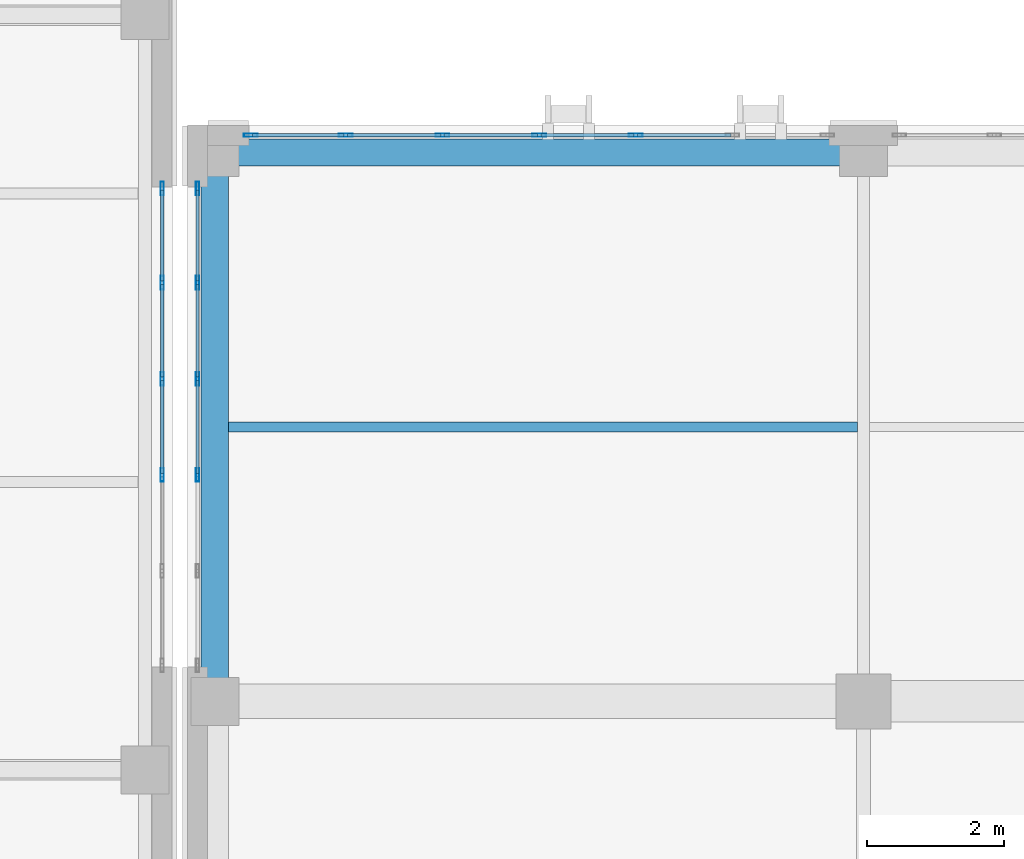
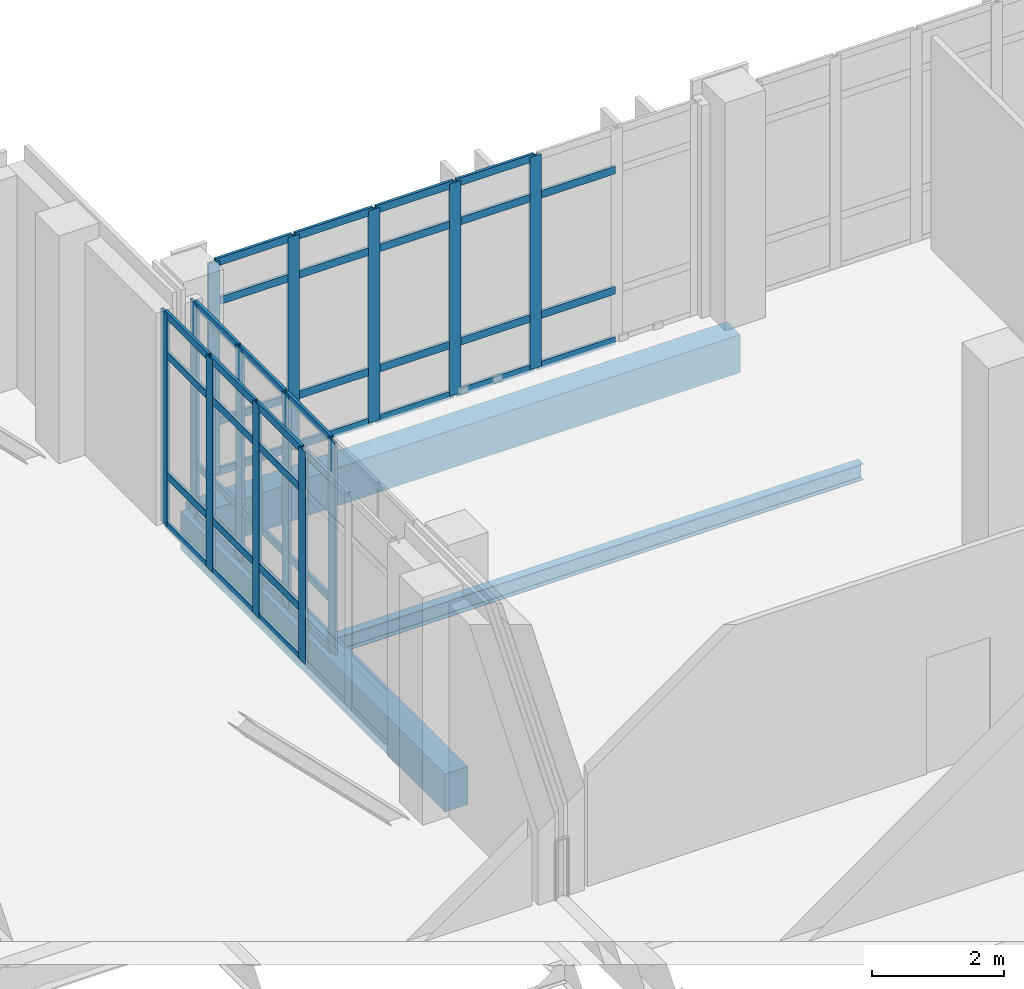
# One storey, part 15 of 165: 56 members, 3 beams, 3 elements without a shape of their own.
"""IFC4 building model written with IfcOpenShell, lengths in metres."""

from ifc_helpers import new_model, si_unit, direction, frame, origin, origin_2d, place, context, subcontext, project, spatial, rectangle, hollow_rectangle, i_section, extrude, material, layer, layer_set, material_profile, profile_set, type_object, element, aggregate, save


model = new_model("IFC4")

# Units and contexts
model_context = context("Model", 3, precision=1e-05, world=origin(), true_north=direction((0.0, 1.0)))
body_context = subcontext(model_context, "Body", "Model", "MODEL_VIEW")
ifc_project = project(units=[si_unit("LENGTHUNIT", "METRE"), si_unit("AREAUNIT", "SQUARE_METRE"), si_unit("VOLUMEUNIT", "CUBIC_METRE"), si_unit("PLANEANGLEUNIT", "RADIAN"), si_unit("MASSUNIT", "GRAM", prefix="KILO")], contexts=[model_context])

# Site, building, storey
site_placement = place(None, origin())
site = spatial("IfcSite", under=ifc_project, at=site_placement, CompositionType="ELEMENT")
building_placement = place(site_placement, origin())
building = spatial("IfcBuilding", under=site, at=building_placement, Name="Qalavern Law Courts", CompositionType="ELEMENT")
storey_placement = place(building_placement, frame((0.0, 0.0, 14.39990234375)))
storey = spatial("IfcBuildingStorey", under=building, at=storey_placement, Name="L03", CompositionType="ELEMENT", Elevation=14.39990234375)

# Curtain wall, members
ifc_material_1 = material(Name="Anodised aluminium and insulated glazing", Category="aluminium")
ifc_layer_1 = layer(ifc_material_1, 0.199951171875)
ifc_layer_set_1 = layer_set([ifc_layer_1], Name="Anodised aluminium and insulated glazing")
curtain_wall_type_1 = type_object("IfcCurtainWallType", Name="ENV-CW-FOYER", PredefinedType="USERDEFINED", material=ifc_layer_set_1)
curtain_wall_1_placement = place(storey_placement, origin())
curtain_wall_1 = element("IfcCurtainWall", 1, at=curtain_wall_1_placement, inside=storey, type_object=curtain_wall_type_1, Name="V1 unitised curtain wall L03 east 1", ObjectType="UNITISED CURTAIN WALL", PredefinedType="USERDEFINED")
ifc_material_2 = material(Name="Anodised aluminium", Category="aluminium")
ifc_material_profile_1 = material_profile(ifc_material_2, hollow_rectangle(XDim=0.048095703125, YDim=0.199951171875, WallThickness=0.00439453125, at=origin_2d()), Name="ALU MULLION 48x200")
ifc_profile_set_1 = profile_set([ifc_material_profile_1], Name="Anodised aluminium")
member_type_1 = type_object("IfcMemberType", Name="ENV-CWM-48x200", PredefinedType="MULLION", material=ifc_profile_set_1)
member_1_placement = place(storey_placement, frame((33.8525390625, 25.300048828125, 0.0), z_axis=(0.0, 0.0, 1.0), x_axis=(-1.0, 0.0, 0.0)))
member_1 = element("IfcMember", 2, at=member_1_placement, type_object=member_type_1, Name="CW-01 mullion 3", PredefinedType="MULLION", context=body_context, shape_type="SweptSolid", body=[
    extrude(hollow_rectangle(XDim=0.048095703125, YDim=0.199951171875, WallThickness=0.00439453125, at=origin_2d()), origin(), (0.0, 0.0, 1.0), 3.920166015625),
])
member_2_placement = place(storey_placement, frame((33.8525390625, 26.699951171875, 0.0), z_axis=(0.0, 0.0, 1.0), x_axis=(-1.0, 0.0, 0.0)))
member_2 = element("IfcMember", 3, at=member_2_placement, type_object=member_type_1, Name="CW-01 mullion 4", PredefinedType="MULLION", context=body_context, shape_type="SweptSolid", body=[
    extrude(hollow_rectangle(XDim=0.048095703125, YDim=0.199951171875, WallThickness=0.00439453125, at=origin_2d()), origin(), (0.0, 0.0, 1.0), 3.920166015625),
])
member_3_placement = place(storey_placement, frame((33.8525390625, 28.10009765625, 0.0), z_axis=(0.0, 0.0, 1.0), x_axis=(-1.0, 0.0, 0.0)))
member_3 = element("IfcMember", 4, at=member_3_placement, type_object=member_type_1, Name="CW-01 mullion 5", PredefinedType="MULLION", context=body_context, shape_type="SweptSolid", body=[
    extrude(hollow_rectangle(XDim=0.048095703125, YDim=0.199951171875, WallThickness=0.00439453125, at=origin_2d()), origin(), (0.0, 0.0, 1.0), 3.920166015625),
])
member_4_placement = place(storey_placement, frame((33.8525390625, 29.47607421875, 0.0), z_axis=(0.0, 0.0, 1.0), x_axis=(-1.0, 0.0, 0.0)))
member_4 = element("IfcMember", 5, at=member_4_placement, type_object=member_type_1, Name="CW-01 mullion 6", PredefinedType="MULLION", context=body_context, shape_type="SweptSolid", body=[
    extrude(hollow_rectangle(XDim=0.048095703125, YDim=0.199951171875, WallThickness=0.00439453125, at=origin_2d()), origin(), (0.0, 0.0, 1.0), 3.920166015625),
])

ifc_layer_2 = layer(ifc_material_1, 0.18505859375)
ifc_layer_set_2 = layer_set([ifc_layer_2], Name="Anodised aluminium and insulated glazing")
curtain_wall_type_2 = type_object("IfcCurtainWallType", Name="ENV-CW-HALL", PredefinedType="USERDEFINED", material=ifc_layer_set_2)
curtain_wall_2_placement = place(storey_placement, origin())
curtain_wall_2 = element("IfcCurtainWall", 6, at=curtain_wall_2_placement, inside=storey, type_object=curtain_wall_type_2, Name="V2 unitised curtain wall L03 north 6", ObjectType="UNITISED CURTAIN WALL", PredefinedType="USERDEFINED")
member_5_placement = place(storey_placement, frame((40.756103515625, 30.25244140625, 0.0), z_axis=(0.0, 0.0, 1.0), x_axis=(0.0, -1.0, 0.0)))
member_5 = element("IfcMember", 7, at=member_5_placement, type_object=member_type_1, Name="CW-02 mullion 3", PredefinedType="MULLION", context=body_context, shape_type="SweptSolid", body=[
    extrude(hollow_rectangle(XDim=0.048095703125, YDim=0.199951171875, WallThickness=0.00439453125, at=origin_2d()), origin(), (0.0, 0.0, 1.0), 3.920166015625),
])
member_6_placement = place(storey_placement, frame((39.34716796875, 30.25244140625, 0.0), z_axis=(0.0, 0.0, 1.0), x_axis=(0.0, -1.0, 0.0)))
member_6 = element("IfcMember", 8, at=member_6_placement, type_object=member_type_1, Name="CW-02 mullion 4", PredefinedType="MULLION", context=body_context, shape_type="SweptSolid", body=[
    extrude(hollow_rectangle(XDim=0.048095703125, YDim=0.199951171875, WallThickness=0.00439453125, at=origin_2d()), origin(), (0.0, 0.0, 1.0), 3.920166015625),
])
member_7_placement = place(storey_placement, frame((37.93798828125, 30.25244140625, 0.0), z_axis=(0.0, 0.0, 1.0), x_axis=(0.0, -1.0, 0.0)))
member_7 = element("IfcMember", 9, at=member_7_placement, type_object=member_type_1, Name="CW-02 mullion 5", PredefinedType="MULLION", context=body_context, shape_type="SweptSolid", body=[
    extrude(hollow_rectangle(XDim=0.048095703125, YDim=0.199951171875, WallThickness=0.00439453125, at=origin_2d()), origin(), (0.0, 0.0, 1.0), 3.920166015625),
])
member_8_placement = place(storey_placement, frame((36.529052734375, 30.25244140625, 0.0), z_axis=(0.0, 0.0, 1.0), x_axis=(0.0, -1.0, 0.0)))
member_8 = element("IfcMember", 10, at=member_8_placement, type_object=member_type_1, Name="CW-02 mullion 6", PredefinedType="MULLION", context=body_context, shape_type="SweptSolid", body=[
    extrude(hollow_rectangle(XDim=0.048095703125, YDim=0.199951171875, WallThickness=0.00439453125, at=origin_2d()), origin(), (0.0, 0.0, 1.0), 3.920166015625),
])
member_9_placement = place(storey_placement, frame((35.14404296875, 30.25244140625, 0.0), z_axis=(0.0, 0.0, 1.0), x_axis=(0.0, -1.0, 0.0)))
member_9 = element("IfcMember", 11, at=member_9_placement, type_object=member_type_1, Name="CW-02 mullion 7", PredefinedType="MULLION", context=body_context, shape_type="SweptSolid", body=[
    extrude(hollow_rectangle(XDim=0.048095703125, YDim=0.199951171875, WallThickness=0.00439453125, at=origin_2d()), origin(), (0.0, 0.0, 1.0), 3.920166015625),
])

curtain_wall_3_placement = place(storey_placement, origin())
curtain_wall_3 = element("IfcCurtainWall", 12, at=curtain_wall_3_placement, inside=storey, type_object=curtain_wall_type_2, Name="V2 unitised curtain wall L03 west 1", ObjectType="UNITISED CURTAIN WALL", PredefinedType="USERDEFINED")
member_10_placement = place(storey_placement, frame((34.367431640625, 29.47607421875, 0.0), z_axis=(0.0, 0.0, 1.0), x_axis=(1.0, 0.0, 0.0)))
member_10 = element("IfcMember", 13, at=member_10_placement, type_object=member_type_1, Name="CW-02 mullion 1", PredefinedType="MULLION", context=body_context, shape_type="SweptSolid", body=[
    extrude(hollow_rectangle(XDim=0.048095703125, YDim=0.199951171875, WallThickness=0.00439453125, at=origin_2d()), origin(), (0.0, 0.0, 1.0), 3.920166015625),
])
member_11_placement = place(storey_placement, frame((34.367431640625, 28.10009765625, 0.0), z_axis=(0.0, 0.0, 1.0), x_axis=(1.0, 0.0, 0.0)))
member_11 = element("IfcMember", 14, at=member_11_placement, type_object=member_type_1, Name="CW-02 mullion 2", PredefinedType="MULLION", context=body_context, shape_type="SweptSolid", body=[
    extrude(hollow_rectangle(XDim=0.048095703125, YDim=0.199951171875, WallThickness=0.00439453125, at=origin_2d()), origin(), (0.0, 0.0, 1.0), 3.920166015625),
])
member_12_placement = place(storey_placement, frame((34.367431640625, 26.699951171875, 0.0), z_axis=(0.0, 0.0, 1.0), x_axis=(1.0, 0.0, 0.0)))
member_12 = element("IfcMember", 15, at=member_12_placement, type_object=member_type_1, Name="CW-02 mullion 3", PredefinedType="MULLION", context=body_context, shape_type="SweptSolid", body=[
    extrude(hollow_rectangle(XDim=0.048095703125, YDim=0.199951171875, WallThickness=0.00439453125, at=origin_2d()), origin(), (0.0, 0.0, 1.0), 3.920166015625),
])
member_13_placement = place(storey_placement, frame((34.367431640625, 25.300048828125, 0.0), z_axis=(0.0, 0.0, 1.0), x_axis=(1.0, 0.0, 0.0)))
member_13 = element("IfcMember", 16, at=member_13_placement, type_object=member_type_1, Name="CW-02 mullion 4", PredefinedType="MULLION", context=body_context, shape_type="SweptSolid", body=[
    extrude(hollow_rectangle(XDim=0.048095703125, YDim=0.199951171875, WallThickness=0.00439453125, at=origin_2d()), origin(), (0.0, 0.0, 1.0), 3.920166015625),
])

# Member
ifc_material_profile_2 = material_profile(ifc_material_2, hollow_rectangle(XDim=0.048095703125, YDim=0.139892578125, WallThickness=0.00390625, at=origin_2d()), Name="ALU TRANSOM 48x140")
ifc_profile_set_2 = profile_set([ifc_material_profile_2], Name="Anodised aluminium")
member_type_2 = type_object("IfcMemberType", Name="ENV-CWT-48x140", PredefinedType="USERDEFINED", material=ifc_profile_set_2)
member_14_placement = place(storey_placement, frame((33.8525390625, 25.323974609375, 0.024169921875), z_axis=(0.0, 1.0, 0.0), x_axis=(-1.0, 0.0, 0.0)))
member_14 = element("IfcMember", 17, at=member_14_placement, type_object=member_type_2, Name="CW-01 transom 3.1", ObjectType="TRANSOM", PredefinedType="USERDEFINED", context=body_context, shape_type="SweptSolid", body=[
    extrude(hollow_rectangle(XDim=0.048095703125, YDim=0.139892578125, WallThickness=0.00390625, at=origin_2d()), origin(), (0.0, 0.0, 1.0), 1.35205078125),
])

member_15_placement = place(storey_placement, frame((33.8525390625, 25.323974609375, 0.9501953125), z_axis=(0.0, 1.0, 0.0), x_axis=(-1.0, 0.0, 0.0)))
member_15 = element("IfcMember", 18, at=member_15_placement, type_object=member_type_2, Name="CW-01 transom 3.2", ObjectType="TRANSOM", PredefinedType="USERDEFINED", context=body_context, shape_type="SweptSolid", body=[
    extrude(hollow_rectangle(XDim=0.048095703125, YDim=0.139892578125, WallThickness=0.00390625, at=origin_2d()), origin(), (0.0, 0.0, 1.0), 1.35205078125),
])

member_16_placement = place(storey_placement, frame((33.8525390625, 25.323974609375, 3.170166015625), z_axis=(0.0, 1.0, 0.0), x_axis=(-1.0, 0.0, 0.0)))
member_16 = element("IfcMember", 19, at=member_16_placement, type_object=member_type_2, Name="CW-01 transom 3.3", ObjectType="TRANSOM", PredefinedType="USERDEFINED", context=body_context, shape_type="SweptSolid", body=[
    extrude(hollow_rectangle(XDim=0.048095703125, YDim=0.139892578125, WallThickness=0.00390625, at=origin_2d()), origin(), (0.0, 0.0, 1.0), 1.35205078125),
])

member_17_placement = place(storey_placement, frame((33.8525390625, 25.323974609375, 3.89599609375), z_axis=(0.0, 1.0, 0.0), x_axis=(-1.0, 0.0, 0.0)))
member_17 = element("IfcMember", 20, at=member_17_placement, type_object=member_type_2, Name="CW-01 transom 3.4", ObjectType="TRANSOM", PredefinedType="USERDEFINED", context=body_context, shape_type="SweptSolid", body=[
    extrude(hollow_rectangle(XDim=0.048095703125, YDim=0.139892578125, WallThickness=0.00390625, at=origin_2d()), origin(), (0.0, 0.0, 1.0), 1.35205078125),
])

member_18_placement = place(storey_placement, frame((33.8525390625, 26.72412109375, 0.024169921875), z_axis=(0.0, 1.0, 0.0), x_axis=(-1.0, 0.0, 0.0)))
member_18 = element("IfcMember", 21, at=member_18_placement, type_object=member_type_2, Name="CW-01 transom 4.1", ObjectType="TRANSOM", PredefinedType="USERDEFINED", context=body_context, shape_type="SweptSolid", body=[
    extrude(hollow_rectangle(XDim=0.048095703125, YDim=0.139892578125, WallThickness=0.00390625, at=origin_2d()), origin(), (0.0, 0.0, 1.0), 1.351806640625),
])

member_19_placement = place(storey_placement, frame((33.8525390625, 26.72412109375, 0.9501953125), z_axis=(0.0, 1.0, 0.0), x_axis=(-1.0, 0.0, 0.0)))
member_19 = element("IfcMember", 22, at=member_19_placement, type_object=member_type_2, Name="CW-01 transom 4.2", ObjectType="TRANSOM", PredefinedType="USERDEFINED", context=body_context, shape_type="SweptSolid", body=[
    extrude(hollow_rectangle(XDim=0.048095703125, YDim=0.139892578125, WallThickness=0.00390625, at=origin_2d()), origin(), (0.0, 0.0, 1.0), 1.351806640625),
])

member_20_placement = place(storey_placement, frame((33.8525390625, 26.72412109375, 3.170166015625), z_axis=(0.0, 1.0, 0.0), x_axis=(-1.0, 0.0, 0.0)))
member_20 = element("IfcMember", 23, at=member_20_placement, type_object=member_type_2, Name="CW-01 transom 4.3", ObjectType="TRANSOM", PredefinedType="USERDEFINED", context=body_context, shape_type="SweptSolid", body=[
    extrude(hollow_rectangle(XDim=0.048095703125, YDim=0.139892578125, WallThickness=0.00390625, at=origin_2d()), origin(), (0.0, 0.0, 1.0), 1.351806640625),
])

member_21_placement = place(storey_placement, frame((33.8525390625, 26.72412109375, 3.89599609375), z_axis=(0.0, 1.0, 0.0), x_axis=(-1.0, 0.0, 0.0)))
member_21 = element("IfcMember", 24, at=member_21_placement, type_object=member_type_2, Name="CW-01 transom 4.4", ObjectType="TRANSOM", PredefinedType="USERDEFINED", context=body_context, shape_type="SweptSolid", body=[
    extrude(hollow_rectangle(XDim=0.048095703125, YDim=0.139892578125, WallThickness=0.00390625, at=origin_2d()), origin(), (0.0, 0.0, 1.0), 1.351806640625),
])

member_22_placement = place(storey_placement, frame((33.8525390625, 28.1240234375, 0.024169921875), z_axis=(0.0, 1.0, 0.0), x_axis=(-1.0, 0.0, 0.0)))
member_22 = element("IfcMember", 25, at=member_22_placement, type_object=member_type_2, Name="CW-01 transom 5.1", ObjectType="TRANSOM", PredefinedType="USERDEFINED", context=body_context, shape_type="SweptSolid", body=[
    extrude(hollow_rectangle(XDim=0.048095703125, YDim=0.139892578125, WallThickness=0.00390625, at=origin_2d()), origin(), (0.0, 0.0, 1.0), 1.327880859375),
])

member_23_placement = place(storey_placement, frame((33.8525390625, 28.1240234375, 0.9501953125), z_axis=(0.0, 1.0, 0.0), x_axis=(-1.0, 0.0, 0.0)))
member_23 = element("IfcMember", 26, at=member_23_placement, type_object=member_type_2, Name="CW-01 transom 5.2", ObjectType="TRANSOM", PredefinedType="USERDEFINED", context=body_context, shape_type="SweptSolid", body=[
    extrude(hollow_rectangle(XDim=0.048095703125, YDim=0.139892578125, WallThickness=0.00390625, at=origin_2d()), origin(), (0.0, 0.0, 1.0), 1.327880859375),
])

member_24_placement = place(storey_placement, frame((33.8525390625, 28.1240234375, 3.170166015625), z_axis=(0.0, 1.0, 0.0), x_axis=(-1.0, 0.0, 0.0)))
member_24 = element("IfcMember", 27, at=member_24_placement, type_object=member_type_2, Name="CW-01 transom 5.3", ObjectType="TRANSOM", PredefinedType="USERDEFINED", context=body_context, shape_type="SweptSolid", body=[
    extrude(hollow_rectangle(XDim=0.048095703125, YDim=0.139892578125, WallThickness=0.00390625, at=origin_2d()), origin(), (0.0, 0.0, 1.0), 1.327880859375),
])

member_25_placement = place(storey_placement, frame((33.8525390625, 28.1240234375, 3.89599609375), z_axis=(0.0, 1.0, 0.0), x_axis=(-1.0, 0.0, 0.0)))
member_25 = element("IfcMember", 28, at=member_25_placement, type_object=member_type_2, Name="CW-01 transom 5.4", ObjectType="TRANSOM", PredefinedType="USERDEFINED", context=body_context, shape_type="SweptSolid", body=[
    extrude(hollow_rectangle(XDim=0.048095703125, YDim=0.139892578125, WallThickness=0.00390625, at=origin_2d()), origin(), (0.0, 0.0, 1.0), 1.327880859375),
])

aggregate(curtain_wall_1, [member_1, member_2, member_3, member_4, member_14, member_15, member_16, member_17, member_18, member_19, member_20, member_21, member_22, member_23, member_24, member_25])

member_26_placement = place(storey_placement, frame((42.141357421875, 30.25244140625, 0.024169921875), z_axis=(-1.0, 0.0, 0.0), x_axis=(0.0, -1.0, 0.0)))
member_26 = element("IfcMember", 29, at=member_26_placement, type_object=member_type_2, Name="CW-02 transom 2.1", ObjectType="TRANSOM", PredefinedType="USERDEFINED", context=body_context, shape_type="SweptSolid", body=[
    extrude(hollow_rectangle(XDim=0.048095703125, YDim=0.139892578125, WallThickness=0.00390625, at=origin_2d()), origin(), (0.0, 0.0, 1.0), 1.361083984375),
])

member_27_placement = place(storey_placement, frame((42.141357421875, 30.25244140625, 0.9501953125), z_axis=(-1.0, 0.0, 0.0), x_axis=(0.0, -1.0, 0.0)))
member_27 = element("IfcMember", 30, at=member_27_placement, type_object=member_type_2, Name="CW-02 transom 2.2", ObjectType="TRANSOM", PredefinedType="USERDEFINED", context=body_context, shape_type="SweptSolid", body=[
    extrude(hollow_rectangle(XDim=0.048095703125, YDim=0.139892578125, WallThickness=0.00390625, at=origin_2d()), origin(), (0.0, 0.0, 1.0), 1.361083984375),
])

member_28_placement = place(storey_placement, frame((42.141357421875, 30.25244140625, 3.170166015625), z_axis=(-1.0, 0.0, 0.0), x_axis=(0.0, -1.0, 0.0)))
member_28 = element("IfcMember", 31, at=member_28_placement, type_object=member_type_2, Name="CW-02 transom 2.3", ObjectType="TRANSOM", PredefinedType="USERDEFINED", context=body_context, shape_type="SweptSolid", body=[
    extrude(hollow_rectangle(XDim=0.048095703125, YDim=0.139892578125, WallThickness=0.00390625, at=origin_2d()), origin(), (0.0, 0.0, 1.0), 1.361083984375),
])

member_29_placement = place(storey_placement, frame((40.732177734375, 30.25244140625, 0.024169921875), z_axis=(-1.0, 0.0, 0.0), x_axis=(0.0, -1.0, 0.0)))
member_29 = element("IfcMember", 32, at=member_29_placement, type_object=member_type_2, Name="CW-02 transom 3.1", ObjectType="TRANSOM", PredefinedType="USERDEFINED", context=body_context, shape_type="SweptSolid", body=[
    extrude(hollow_rectangle(XDim=0.048095703125, YDim=0.139892578125, WallThickness=0.00390625, at=origin_2d()), origin(), (0.0, 0.0, 1.0), 1.361083984375),
])

member_30_placement = place(storey_placement, frame((40.732177734375, 30.25244140625, 0.9501953125), z_axis=(-1.0, 0.0, 0.0), x_axis=(0.0, -1.0, 0.0)))
member_30 = element("IfcMember", 33, at=member_30_placement, type_object=member_type_2, Name="CW-02 transom 3.2", ObjectType="TRANSOM", PredefinedType="USERDEFINED", context=body_context, shape_type="SweptSolid", body=[
    extrude(hollow_rectangle(XDim=0.048095703125, YDim=0.139892578125, WallThickness=0.00390625, at=origin_2d()), origin(), (0.0, 0.0, 1.0), 1.361083984375),
])

member_31_placement = place(storey_placement, frame((40.732177734375, 30.25244140625, 3.170166015625), z_axis=(-1.0, 0.0, 0.0), x_axis=(0.0, -1.0, 0.0)))
member_31 = element("IfcMember", 34, at=member_31_placement, type_object=member_type_2, Name="CW-02 transom 3.3", ObjectType="TRANSOM", PredefinedType="USERDEFINED", context=body_context, shape_type="SweptSolid", body=[
    extrude(hollow_rectangle(XDim=0.048095703125, YDim=0.139892578125, WallThickness=0.00390625, at=origin_2d()), origin(), (0.0, 0.0, 1.0), 1.361083984375),
])

member_32_placement = place(storey_placement, frame((40.732177734375, 30.25244140625, 3.89599609375), z_axis=(-1.0, 0.0, 0.0), x_axis=(0.0, -1.0, 0.0)))
member_32 = element("IfcMember", 35, at=member_32_placement, type_object=member_type_2, Name="CW-02 transom 3.4", ObjectType="TRANSOM", PredefinedType="USERDEFINED", context=body_context, shape_type="SweptSolid", body=[
    extrude(hollow_rectangle(XDim=0.048095703125, YDim=0.139892578125, WallThickness=0.00390625, at=origin_2d()), origin(), (0.0, 0.0, 1.0), 1.361083984375),
])

member_33_placement = place(storey_placement, frame((39.3232421875, 30.25244140625, 0.024169921875), z_axis=(-1.0, 0.0, 0.0), x_axis=(0.0, -1.0, 0.0)))
member_33 = element("IfcMember", 36, at=member_33_placement, type_object=member_type_2, Name="CW-02 transom 4.1", ObjectType="TRANSOM", PredefinedType="USERDEFINED", context=body_context, shape_type="SweptSolid", body=[
    extrude(hollow_rectangle(XDim=0.048095703125, YDim=0.139892578125, WallThickness=0.00390625, at=origin_2d()), origin(), (0.0, 0.0, 1.0), 1.361083984375),
])

member_34_placement = place(storey_placement, frame((39.3232421875, 30.25244140625, 0.9501953125), z_axis=(-1.0, 0.0, 0.0), x_axis=(0.0, -1.0, 0.0)))
member_34 = element("IfcMember", 37, at=member_34_placement, type_object=member_type_2, Name="CW-02 transom 4.2", ObjectType="TRANSOM", PredefinedType="USERDEFINED", context=body_context, shape_type="SweptSolid", body=[
    extrude(hollow_rectangle(XDim=0.048095703125, YDim=0.139892578125, WallThickness=0.00390625, at=origin_2d()), origin(), (0.0, 0.0, 1.0), 1.361083984375),
])

member_35_placement = place(storey_placement, frame((39.3232421875, 30.25244140625, 3.170166015625), z_axis=(-1.0, 0.0, 0.0), x_axis=(0.0, -1.0, 0.0)))
member_35 = element("IfcMember", 38, at=member_35_placement, type_object=member_type_2, Name="CW-02 transom 4.3", ObjectType="TRANSOM", PredefinedType="USERDEFINED", context=body_context, shape_type="SweptSolid", body=[
    extrude(hollow_rectangle(XDim=0.048095703125, YDim=0.139892578125, WallThickness=0.00390625, at=origin_2d()), origin(), (0.0, 0.0, 1.0), 1.361083984375),
])

member_36_placement = place(storey_placement, frame((39.3232421875, 30.25244140625, 3.89599609375), z_axis=(-1.0, 0.0, 0.0), x_axis=(0.0, -1.0, 0.0)))
member_36 = element("IfcMember", 39, at=member_36_placement, type_object=member_type_2, Name="CW-02 transom 4.4", ObjectType="TRANSOM", PredefinedType="USERDEFINED", context=body_context, shape_type="SweptSolid", body=[
    extrude(hollow_rectangle(XDim=0.048095703125, YDim=0.139892578125, WallThickness=0.00390625, at=origin_2d()), origin(), (0.0, 0.0, 1.0), 1.361083984375),
])

member_37_placement = place(storey_placement, frame((37.9140625, 30.25244140625, 0.024169921875), z_axis=(-1.0, 0.0, 0.0), x_axis=(0.0, -1.0, 0.0)))
member_37 = element("IfcMember", 40, at=member_37_placement, type_object=member_type_2, Name="CW-02 transom 5.1", ObjectType="TRANSOM", PredefinedType="USERDEFINED", context=body_context, shape_type="SweptSolid", body=[
    extrude(hollow_rectangle(XDim=0.048095703125, YDim=0.139892578125, WallThickness=0.00390625, at=origin_2d()), origin(), (0.0, 0.0, 1.0), 1.361083984375),
])

member_38_placement = place(storey_placement, frame((37.9140625, 30.25244140625, 0.9501953125), z_axis=(-1.0, 0.0, 0.0), x_axis=(0.0, -1.0, 0.0)))
member_38 = element("IfcMember", 41, at=member_38_placement, type_object=member_type_2, Name="CW-02 transom 5.2", ObjectType="TRANSOM", PredefinedType="USERDEFINED", context=body_context, shape_type="SweptSolid", body=[
    extrude(hollow_rectangle(XDim=0.048095703125, YDim=0.139892578125, WallThickness=0.00390625, at=origin_2d()), origin(), (0.0, 0.0, 1.0), 1.361083984375),
])

member_39_placement = place(storey_placement, frame((37.9140625, 30.25244140625, 3.170166015625), z_axis=(-1.0, 0.0, 0.0), x_axis=(0.0, -1.0, 0.0)))
member_39 = element("IfcMember", 42, at=member_39_placement, type_object=member_type_2, Name="CW-02 transom 5.3", ObjectType="TRANSOM", PredefinedType="USERDEFINED", context=body_context, shape_type="SweptSolid", body=[
    extrude(hollow_rectangle(XDim=0.048095703125, YDim=0.139892578125, WallThickness=0.00390625, at=origin_2d()), origin(), (0.0, 0.0, 1.0), 1.361083984375),
])

member_40_placement = place(storey_placement, frame((37.9140625, 30.25244140625, 3.89599609375), z_axis=(-1.0, 0.0, 0.0), x_axis=(0.0, -1.0, 0.0)))
member_40 = element("IfcMember", 43, at=member_40_placement, type_object=member_type_2, Name="CW-02 transom 5.4", ObjectType="TRANSOM", PredefinedType="USERDEFINED", context=body_context, shape_type="SweptSolid", body=[
    extrude(hollow_rectangle(XDim=0.048095703125, YDim=0.139892578125, WallThickness=0.00390625, at=origin_2d()), origin(), (0.0, 0.0, 1.0), 1.361083984375),
])

member_41_placement = place(storey_placement, frame((36.505126953125, 30.25244140625, 0.024169921875), z_axis=(-1.0, 0.0, 0.0), x_axis=(0.0, -1.0, 0.0)))
member_41 = element("IfcMember", 44, at=member_41_placement, type_object=member_type_2, Name="CW-02 transom 6.1", ObjectType="TRANSOM", PredefinedType="USERDEFINED", context=body_context, shape_type="SweptSolid", body=[
    extrude(hollow_rectangle(XDim=0.048095703125, YDim=0.139892578125, WallThickness=0.00390625, at=origin_2d()), origin(), (0.0, 0.0, 1.0), 1.337158203125),
])

member_42_placement = place(storey_placement, frame((36.505126953125, 30.25244140625, 0.9501953125), z_axis=(-1.0, 0.0, 0.0), x_axis=(0.0, -1.0, 0.0)))
member_42 = element("IfcMember", 45, at=member_42_placement, type_object=member_type_2, Name="CW-02 transom 6.2", ObjectType="TRANSOM", PredefinedType="USERDEFINED", context=body_context, shape_type="SweptSolid", body=[
    extrude(hollow_rectangle(XDim=0.048095703125, YDim=0.139892578125, WallThickness=0.00390625, at=origin_2d()), origin(), (0.0, 0.0, 1.0), 1.337158203125),
])

member_43_placement = place(storey_placement, frame((36.505126953125, 30.25244140625, 3.170166015625), z_axis=(-1.0, 0.0, 0.0), x_axis=(0.0, -1.0, 0.0)))
member_43 = element("IfcMember", 46, at=member_43_placement, type_object=member_type_2, Name="CW-02 transom 6.3", ObjectType="TRANSOM", PredefinedType="USERDEFINED", context=body_context, shape_type="SweptSolid", body=[
    extrude(hollow_rectangle(XDim=0.048095703125, YDim=0.139892578125, WallThickness=0.00390625, at=origin_2d()), origin(), (0.0, 0.0, 1.0), 1.337158203125),
])

member_44_placement = place(storey_placement, frame((36.505126953125, 30.25244140625, 3.89599609375), z_axis=(-1.0, 0.0, 0.0), x_axis=(0.0, -1.0, 0.0)))
member_44 = element("IfcMember", 47, at=member_44_placement, type_object=member_type_2, Name="CW-02 transom 6.4", ObjectType="TRANSOM", PredefinedType="USERDEFINED", context=body_context, shape_type="SweptSolid", body=[
    extrude(hollow_rectangle(XDim=0.048095703125, YDim=0.139892578125, WallThickness=0.00390625, at=origin_2d()), origin(), (0.0, 0.0, 1.0), 1.337158203125),
])

aggregate(curtain_wall_2, [member_5, member_6, member_7, member_8, member_9, member_26, member_27, member_28, member_29, member_30, member_31, member_32, member_33, member_34, member_35, member_36, member_37, member_38, member_39, member_40, member_41, member_42, member_43, member_44])

member_45_placement = place(storey_placement, frame((34.367431640625, 29.451904296875, 0.024169921875), z_axis=(0.0, -1.0, 0.0), x_axis=(1.0, 0.0, 0.0)))
member_45 = element("IfcMember", 48, at=member_45_placement, type_object=member_type_2, Name="CW-02 transom 1.1", ObjectType="TRANSOM", PredefinedType="USERDEFINED", context=body_context, shape_type="SweptSolid", body=[
    extrude(hollow_rectangle(XDim=0.048095703125, YDim=0.139892578125, WallThickness=0.00390625, at=origin_2d()), origin(), (0.0, 0.0, 1.0), 1.327880859375),
])

member_46_placement = place(storey_placement, frame((34.367431640625, 29.451904296875, 0.9501953125), z_axis=(0.0, -1.0, 0.0), x_axis=(1.0, 0.0, 0.0)))
member_46 = element("IfcMember", 49, at=member_46_placement, type_object=member_type_2, Name="CW-02 transom 1.2", ObjectType="TRANSOM", PredefinedType="USERDEFINED", context=body_context, shape_type="SweptSolid", body=[
    extrude(hollow_rectangle(XDim=0.048095703125, YDim=0.139892578125, WallThickness=0.00390625, at=origin_2d()), origin(), (0.0, 0.0, 1.0), 1.327880859375),
])

member_47_placement = place(storey_placement, frame((34.367431640625, 29.451904296875, 3.170166015625), z_axis=(0.0, -1.0, 0.0), x_axis=(1.0, 0.0, 0.0)))
member_47 = element("IfcMember", 50, at=member_47_placement, type_object=member_type_2, Name="CW-02 transom 1.3", ObjectType="TRANSOM", PredefinedType="USERDEFINED", context=body_context, shape_type="SweptSolid", body=[
    extrude(hollow_rectangle(XDim=0.048095703125, YDim=0.139892578125, WallThickness=0.00390625, at=origin_2d()), origin(), (0.0, 0.0, 1.0), 1.327880859375),
])

member_48_placement = place(storey_placement, frame((34.367431640625, 29.451904296875, 3.89599609375), z_axis=(0.0, -1.0, 0.0), x_axis=(1.0, 0.0, 0.0)))
member_48 = element("IfcMember", 51, at=member_48_placement, type_object=member_type_2, Name="CW-02 transom 1.4", ObjectType="TRANSOM", PredefinedType="USERDEFINED", context=body_context, shape_type="SweptSolid", body=[
    extrude(hollow_rectangle(XDim=0.048095703125, YDim=0.139892578125, WallThickness=0.00390625, at=origin_2d()), origin(), (0.0, 0.0, 1.0), 1.327880859375),
])

member_49_placement = place(storey_placement, frame((34.367431640625, 28.075927734375, 0.024169921875), z_axis=(0.0, -1.0, 0.0), x_axis=(1.0, 0.0, 0.0)))
member_49 = element("IfcMember", 52, at=member_49_placement, type_object=member_type_2, Name="CW-02 transom 2.1", ObjectType="TRANSOM", PredefinedType="USERDEFINED", context=body_context, shape_type="SweptSolid", body=[
    extrude(hollow_rectangle(XDim=0.048095703125, YDim=0.139892578125, WallThickness=0.00390625, at=origin_2d()), origin(), (0.0, 0.0, 1.0), 1.351806640625),
])

member_50_placement = place(storey_placement, frame((34.367431640625, 28.075927734375, 0.9501953125), z_axis=(0.0, -1.0, 0.0), x_axis=(1.0, 0.0, 0.0)))
member_50 = element("IfcMember", 53, at=member_50_placement, type_object=member_type_2, Name="CW-02 transom 2.2", ObjectType="TRANSOM", PredefinedType="USERDEFINED", context=body_context, shape_type="SweptSolid", body=[
    extrude(hollow_rectangle(XDim=0.048095703125, YDim=0.139892578125, WallThickness=0.00390625, at=origin_2d()), origin(), (0.0, 0.0, 1.0), 1.351806640625),
])

member_51_placement = place(storey_placement, frame((34.367431640625, 28.075927734375, 3.170166015625), z_axis=(0.0, -1.0, 0.0), x_axis=(1.0, 0.0, 0.0)))
member_51 = element("IfcMember", 54, at=member_51_placement, type_object=member_type_2, Name="CW-02 transom 2.3", ObjectType="TRANSOM", PredefinedType="USERDEFINED", context=body_context, shape_type="SweptSolid", body=[
    extrude(hollow_rectangle(XDim=0.048095703125, YDim=0.139892578125, WallThickness=0.00390625, at=origin_2d()), origin(), (0.0, 0.0, 1.0), 1.351806640625),
])

member_52_placement = place(storey_placement, frame((34.367431640625, 28.075927734375, 3.89599609375), z_axis=(0.0, -1.0, 0.0), x_axis=(1.0, 0.0, 0.0)))
member_52 = element("IfcMember", 55, at=member_52_placement, type_object=member_type_2, Name="CW-02 transom 2.4", ObjectType="TRANSOM", PredefinedType="USERDEFINED", context=body_context, shape_type="SweptSolid", body=[
    extrude(hollow_rectangle(XDim=0.048095703125, YDim=0.139892578125, WallThickness=0.00390625, at=origin_2d()), origin(), (0.0, 0.0, 1.0), 1.351806640625),
])

member_53_placement = place(storey_placement, frame((34.367431640625, 26.676025390625, 0.024169921875), z_axis=(0.0, -1.0, 0.0), x_axis=(1.0, 0.0, 0.0)))
member_53 = element("IfcMember", 56, at=member_53_placement, type_object=member_type_2, Name="CW-02 transom 3.1", ObjectType="TRANSOM", PredefinedType="USERDEFINED", context=body_context, shape_type="SweptSolid", body=[
    extrude(hollow_rectangle(XDim=0.048095703125, YDim=0.139892578125, WallThickness=0.00390625, at=origin_2d()), origin(), (0.0, 0.0, 1.0), 1.35205078125),
])

member_54_placement = place(storey_placement, frame((34.367431640625, 26.676025390625, 0.9501953125), z_axis=(0.0, -1.0, 0.0), x_axis=(1.0, 0.0, 0.0)))
member_54 = element("IfcMember", 57, at=member_54_placement, type_object=member_type_2, Name="CW-02 transom 3.2", ObjectType="TRANSOM", PredefinedType="USERDEFINED", context=body_context, shape_type="SweptSolid", body=[
    extrude(hollow_rectangle(XDim=0.048095703125, YDim=0.139892578125, WallThickness=0.00390625, at=origin_2d()), origin(), (0.0, 0.0, 1.0), 1.35205078125),
])

member_55_placement = place(storey_placement, frame((34.367431640625, 26.676025390625, 3.170166015625), z_axis=(0.0, -1.0, 0.0), x_axis=(1.0, 0.0, 0.0)))
member_55 = element("IfcMember", 58, at=member_55_placement, type_object=member_type_2, Name="CW-02 transom 3.3", ObjectType="TRANSOM", PredefinedType="USERDEFINED", context=body_context, shape_type="SweptSolid", body=[
    extrude(hollow_rectangle(XDim=0.048095703125, YDim=0.139892578125, WallThickness=0.00390625, at=origin_2d()), origin(), (0.0, 0.0, 1.0), 1.35205078125),
])

member_56_placement = place(storey_placement, frame((34.367431640625, 26.676025390625, 3.89599609375), z_axis=(0.0, -1.0, 0.0), x_axis=(1.0, 0.0, 0.0)))
member_56 = element("IfcMember", 59, at=member_56_placement, type_object=member_type_2, Name="CW-02 transom 3.4", ObjectType="TRANSOM", PredefinedType="USERDEFINED", context=body_context, shape_type="SweptSolid", body=[
    extrude(hollow_rectangle(XDim=0.048095703125, YDim=0.139892578125, WallThickness=0.00390625, at=origin_2d()), origin(), (0.0, 0.0, 1.0), 1.35205078125),
])

aggregate(curtain_wall_3, [member_10, member_11, member_12, member_13, member_45, member_46, member_47, member_48, member_49, member_50, member_51, member_52, member_53, member_54, member_55, member_56])

# Beams
ifc_material_3 = material(Name="Steel S355", Category="steel")
ifc_material_profile_3 = material_profile(ifc_material_3, i_section(OverallWidth=0.14990234375, OverallDepth=0.300048828125, WebThickness=0.007080078125, FlangeThickness=0.0107421875, FilletRadius=0.014892578125, at=origin_2d()), Name="IPE 300")
ifc_profile_set_3 = profile_set([ifc_material_profile_3], Name="Steel S355")
beam_type_1 = type_object("IfcBeamType", Name="STR-JST-IPE300", PredefinedType="JOIST", material=ifc_profile_set_3)
beam_1_placement = place(storey_placement, frame((34.818115234375, 26.0, -0.434814453125), z_axis=(1.0, 0.0, 0.0), x_axis=(0.0, 1.0, 0.0)))
element("IfcBeam", 60, at=beam_1_placement, inside=storey, type_object=beam_type_1, Name="V2 secondary joist 1.3.1 L03", PredefinedType="JOIST", context=body_context, shape_type="SweptSolid", body=[
    extrude(i_section(OverallWidth=0.14990234375, OverallDepth=0.300048828125, WebThickness=0.007080078125, FlangeThickness=0.0107421875, FilletRadius=0.014892578125, at=origin_2d()), origin(), (0.0, 0.0, 1.0), 9.168212890625),
])
ifc_material_4 = material(Name="Concrete C40/50", Category="concrete")
ifc_material_profile_4 = material_profile(ifc_material_4, rectangle(XDim=0.39990234375, YDim=0.699951171875, at=origin_2d()), Name="RC 400x700")
ifc_profile_set_4 = profile_set([ifc_material_profile_4], Name="Concrete C40/50")
beam_type_2 = type_object("IfcBeamType", Name="STR-SP-RC400x700", PredefinedType="SPANDREL", material=ifc_profile_set_4)
beam_2_placement = place(storey_placement, frame((34.6201171875, 30.0, -0.635009765625), z_axis=(1.0, 0.0, 0.0), x_axis=(0.0, 1.0, 0.0)))
element("IfcBeam", 61, at=beam_2_placement, inside=storey, type_object=beam_type_2, Name="V2 X-beam 4-1 L03", PredefinedType="SPANDREL", context=body_context, shape_type="SweptSolid", body=[
    extrude(rectangle(XDim=0.39990234375, YDim=0.699951171875, at=origin_2d()), origin(), (0.0, 0.0, 1.0), 9.4541015625),
])
beam_3_placement = place(storey_placement, frame((34.6201171875, 22.0, -0.635009765625), z_axis=(0.0, 1.0, 0.0), x_axis=(-1.0, 0.0, 0.0)))
element("IfcBeam", 62, at=beam_3_placement, inside=storey, type_object=beam_type_2, Name="V2 Y-beam 1-3 L03", PredefinedType="SPANDREL", context=body_context, shape_type="SweptSolid", body=[
    extrude(rectangle(XDim=0.39990234375, YDim=0.699951171875, at=origin_2d()), origin(), (0.0, 0.0, 1.0), 8.0),
])

save(model, "model.ifc")
